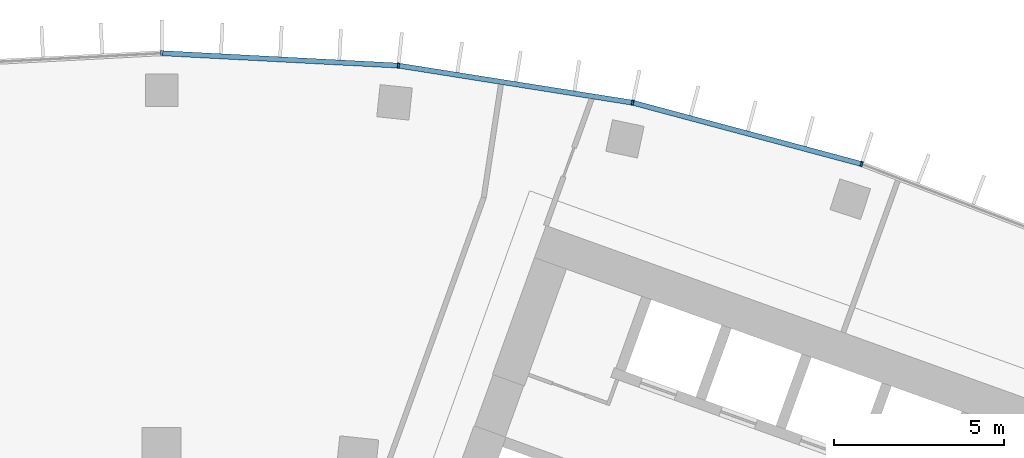
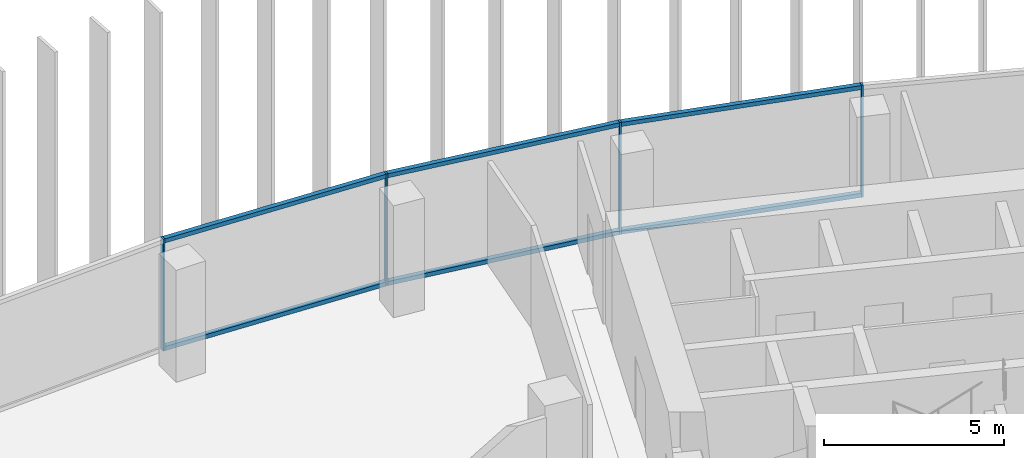
# One storey, part 7 of 19: 10 members, 1 element without a shape of its own.
"""IFC4 building model written with IfcOpenShell, lengths in metres."""

from ifc_helpers import new_model, si_unit, direction, frame, origin, origin_2d, place, context, subcontext, project, spatial, rectangle, extrude, material, layer, layer_set, material_profile, profile_set, type_object, element, aggregate, save


model = new_model("IFC4")

# Units and contexts
model_context = context("Model", 3, precision=1e-05, world=origin(), true_north=direction((0.0, 1.0)))
body_context = subcontext(model_context, "Body", "Model", "MODEL_VIEW")
ifc_project = project(units=[si_unit("LENGTHUNIT", "METRE"), si_unit("AREAUNIT", "SQUARE_METRE"), si_unit("VOLUMEUNIT", "CUBIC_METRE"), si_unit("PLANEANGLEUNIT", "RADIAN"), si_unit("MASSUNIT", "GRAM", prefix="KILO")], contexts=[model_context])

# Site, building, storey
site_placement = place(None, origin())
site = spatial("IfcSite", under=ifc_project, at=site_placement, CompositionType="ELEMENT")
building_placement = place(site_placement, origin())
building = spatial("IfcBuilding", under=site, at=building_placement, Name="Stone Belt Terrace Tower", CompositionType="ELEMENT")
storey_placement = place(building_placement, frame((0.0, 0.0, 235.199951171875)))
storey = spatial("IfcBuildingStorey", under=building, at=storey_placement, Name="L57", CompositionType="ELEMENT", Elevation=235.199951171875)

# Curtain wall, members
ifc_material = material(Name="Aluminium 6063-T6 anodised frame", Category="aluminium")
ifc_layer = layer(ifc_material, 0.14990234375)
ifc_layer_set = layer_set([ifc_layer], Name="CW-A unitised convex-face curtain wall")
curtain_wall_type = type_object("IfcCurtainWallType", Name="CW-A unitised convex-face curtain wall", PredefinedType="NOTDEFINED", material=ifc_layer_set)
curtain_wall_placement = place(storey_placement, origin())
curtain_wall = element("IfcCurtainWall", 1, at=curtain_wall_placement, inside=storey, type_object=curtain_wall_type, Name="CW-A convex face L57", PredefinedType="NOTDEFINED")
ifc_material_profile_1 = material_profile(ifc_material, rectangle(XDim=0.14990234375, YDim=0.06005859375, at=origin_2d()), Name="Aluminium 6063-T6 60x150")
ifc_profile_set_1 = profile_set([ifc_material_profile_1], Name="Aluminium 6063-T6 anodised frame")
member_type_1 = type_object("IfcMemberType", Name="CW-A mullion 60 x 150", PredefinedType="MULLION", material=ifc_profile_set_1)
member_1_placement = place(storey_placement, frame((20.57275390625, 63.316650390625, 0.0), z_axis=(0.0, 0.0, 1.0), x_axis=(-0.309016994375, -0.951056516295, 0.0)))
member_1 = element("IfcMember", 2, at=member_1_placement, type_object=member_type_1, Name="CW-A mullion 6", PredefinedType="MULLION", context=body_context, shape_type="SweptSolid", body=[
    extrude(rectangle(XDim=0.14990234375, YDim=0.06005859375, at=origin_2d()), origin(), (0.0, 0.0, 1.0), 3.800048828125),
])
member_2_placement = place(storey_placement, frame((13.841796875, 65.120361328125, 0.0), z_axis=(0.0, 0.0, 1.0), x_axis=(-0.207911690818, -0.978147600734, 0.0)))
member_2 = element("IfcMember", 3, at=member_2_placement, type_object=member_type_1, Name="CW-A mullion 7", PredefinedType="MULLION", context=body_context, shape_type="SweptSolid", body=[
    extrude(rectangle(XDim=0.14990234375, YDim=0.06005859375, at=origin_2d()), origin(), (0.0, 0.0, 1.0), 3.800048828125),
])
member_3_placement = place(storey_placement, frame((6.958984375, 66.21044921875, 0.0), z_axis=(0.0, 0.0, 1.0), x_axis=(-0.104528463268, -0.994521895368, 0.0)))
member_3 = element("IfcMember", 4, at=member_3_placement, type_object=member_type_1, Name="CW-A mullion 8", PredefinedType="MULLION", context=body_context, shape_type="SweptSolid", body=[
    extrude(rectangle(XDim=0.14990234375, YDim=0.06005859375, at=origin_2d()), origin(), (0.0, 0.0, 1.0), 3.800048828125),
])
member_4_placement = place(storey_placement, frame((0.0, 66.5751953125, 0.0), z_axis=(0.0, 0.0, 1.0), x_axis=(0.0, -1.0, 0.0)))
member_4 = element("IfcMember", 5, at=member_4_placement, type_object=member_type_1, Name="CW-A mullion 9", PredefinedType="MULLION", context=body_context, shape_type="SweptSolid", body=[
    extrude(rectangle(XDim=0.14990234375, YDim=0.06005859375, at=origin_2d()), origin(), (0.0, 0.0, 1.0), 3.800048828125),
])
ifc_material_profile_2 = material_profile(ifc_material, rectangle(XDim=0.14990234375, YDim=0.139892578125, at=origin_2d()), Name="Aluminium 6063-T6 150x140")
ifc_profile_set_2 = profile_set([ifc_material_profile_2], Name="Aluminium 6063-T6 anodised frame")
member_type_2 = type_object("IfcMemberType", Name="CW-A transom 140 x 150", PredefinedType="USERDEFINED", material=ifc_profile_set_2)
member_5_placement = place(storey_placement, frame((20.5400390625, 63.325439453125, 0.070068359375), z_axis=(-0.965921835863, 0.258833937117, 0.0), x_axis=(-0.258833937117, -0.965921835863, 0.0)))
member_5 = element("IfcMember", 6, at=member_5_placement, type_object=member_type_2, Name="CW-A transom 6.1", ObjectType="TRANSOM", PredefinedType="USERDEFINED", context=body_context, shape_type="SweptSolid", body=[
    extrude(rectangle(XDim=0.14990234375, YDim=0.139892578125, at=origin_2d()), origin(), (0.0, 0.0, 1.0), 6.900634765625),
])
member_6_placement = place(storey_placement, frame((20.5400390625, 63.325439453125, 3.72998046875), z_axis=(-0.965921835863, 0.258833937117, 0.0), x_axis=(-0.258833937117, -0.965921835863, 0.0)))
member_6 = element("IfcMember", 7, at=member_6_placement, type_object=member_type_2, Name="CW-A transom 6.2", ObjectType="TRANSOM", PredefinedType="USERDEFINED", context=body_context, shape_type="SweptSolid", body=[
    extrude(rectangle(XDim=0.14990234375, YDim=0.139892578125, at=origin_2d()), origin(), (0.0, 0.0, 1.0), 6.900634765625),
])
member_7_placement = place(storey_placement, frame((13.808349609375, 65.12548828125, 0.070068359375), z_axis=(-0.987687120531, 0.156442168027, 0.0), x_axis=(-0.156442168027, -0.987687120531, 0.0)))
member_7 = element("IfcMember", 8, at=member_7_placement, type_object=member_type_2, Name="CW-A transom 7.1", ObjectType="TRANSOM", PredefinedType="USERDEFINED", context=body_context, shape_type="SweptSolid", body=[
    extrude(rectangle(XDim=0.14990234375, YDim=0.139892578125, at=origin_2d()), origin(), (0.0, 0.0, 1.0), 6.90087890625),
])
member_8_placement = place(storey_placement, frame((13.808349609375, 65.12548828125, 3.72998046875), z_axis=(-0.987687120531, 0.156442168027, 0.0), x_axis=(-0.156442168027, -0.987687120531, 0.0)))
member_8 = element("IfcMember", 9, at=member_8_placement, type_object=member_type_2, Name="CW-A transom 7.2", ObjectType="TRANSOM", PredefinedType="USERDEFINED", context=body_context, shape_type="SweptSolid", body=[
    extrude(rectangle(XDim=0.14990234375, YDim=0.139892578125, at=origin_2d()), origin(), (0.0, 0.0, 1.0), 6.90087890625),
])
member_9_placement = place(storey_placement, frame((6.925048828125, 66.212158203125, 0.070068359375), z_axis=(-0.998630019135, 0.052326712899, 0.0), x_axis=(-0.052326712899, -0.998630019135, 0.0)))
member_9 = element("IfcMember", 10, at=member_9_placement, type_object=member_type_2, Name="CW-A transom 8.1", ObjectType="TRANSOM", PredefinedType="USERDEFINED", context=body_context, shape_type="SweptSolid", body=[
    extrude(rectangle(XDim=0.14990234375, YDim=0.139892578125, at=origin_2d()), origin(), (0.0, 0.0, 1.0), 6.900634765625),
])
member_10_placement = place(storey_placement, frame((6.925048828125, 66.212158203125, 3.72998046875), z_axis=(-0.998630019135, 0.052326712899, 0.0), x_axis=(-0.052326712899, -0.998630019135, 0.0)))
member_10 = element("IfcMember", 11, at=member_10_placement, type_object=member_type_2, Name="CW-A transom 8.2", ObjectType="TRANSOM", PredefinedType="USERDEFINED", context=body_context, shape_type="SweptSolid", body=[
    extrude(rectangle(XDim=0.14990234375, YDim=0.139892578125, at=origin_2d()), origin(), (0.0, 0.0, 1.0), 6.900634765625),
])
aggregate(curtain_wall, [member_1, member_2, member_3, member_4, member_5, member_6, member_7, member_8, member_9, member_10])

save(model, "model.ifc")
